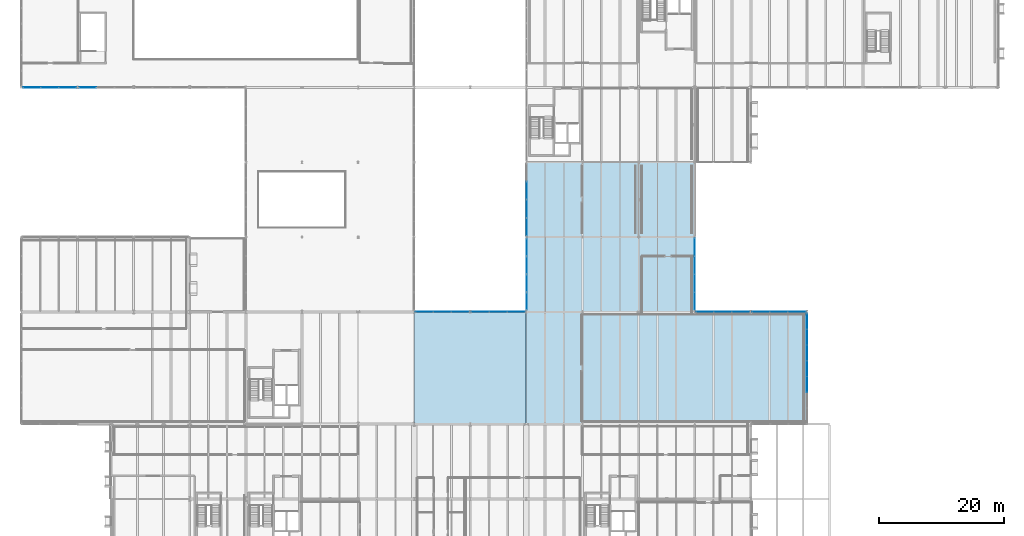
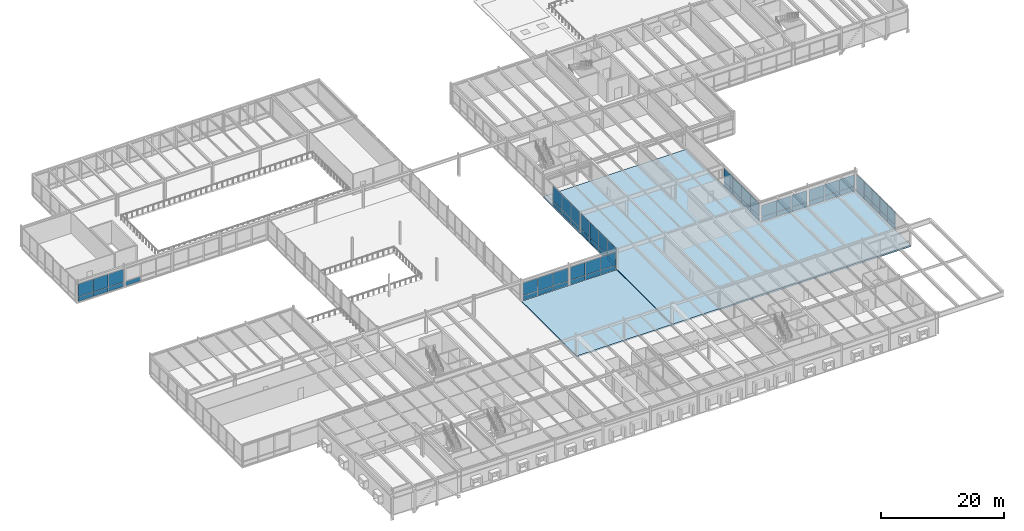
# One storey, part 92 of 115: 63 plates, 2 slabs, 10 elements without a shape of their own.
"""IFC4 building model written with IfcOpenShell, lengths in metres."""

from ifc_helpers import new_model, si_unit, direction, frame, origin, origin_2d, place, context, subcontext, project, spatial, polyline, rectangle, outline, extrude, material, layer, layer_set, type_object, element, aggregate, save


model = new_model("IFC4")

# Units and contexts
model_context = context("Model", 3, precision=1e-05, world=origin(), true_north=direction((0.0, 1.0)))
body_context = subcontext(model_context, "Body", "Model", "MODEL_VIEW")
ifc_project = project(units=[si_unit("LENGTHUNIT", "METRE"), si_unit("AREAUNIT", "SQUARE_METRE"), si_unit("VOLUMEUNIT", "CUBIC_METRE"), si_unit("PLANEANGLEUNIT", "RADIAN"), si_unit("MASSUNIT", "GRAM", prefix="KILO")], contexts=[model_context])

# Site, building, storey
site_placement = place(None, origin())
site = spatial("IfcSite", under=ifc_project, at=site_placement, CompositionType="ELEMENT")
building_placement = place(site_placement, origin())
building = spatial("IfcBuilding", under=site, at=building_placement, Name="Montelvaro Courts of Justice", CompositionType="ELEMENT")
storey_placement = place(building_placement, frame((0.0, 0.0, 9.89990234375)))
storey = spatial("IfcBuildingStorey", under=building, at=storey_placement, Name="L02", CompositionType="ELEMENT", Elevation=9.89990234375)

# Curtain wall, plates
ifc_material_1 = material(Name="Anodised aluminium EN AW-6063", Category="aluminium")
ifc_layer_1 = layer(ifc_material_1, 0.159912109375)
ifc_layer_set_1 = layer_set([ifc_layer_1], Name="Anodised aluminium EN AW-6063")
curtain_wall_type_1 = type_object("IfcCurtainWallType", Name="CurtainWall_17_861x418", PredefinedType="USERDEFINED", material=ifc_layer_set_1)
curtain_wall_1_placement = place(storey_placement, origin())
curtain_wall_1 = element("IfcCurtainWall", 1, at=curtain_wall_1_placement, inside=storey, type_object=curtain_wall_type_1, Name="Curtain Wall CW-17 (L02)", ObjectType="CURTAIN WALL", PredefinedType="USERDEFINED")
ifc_material_2 = material(Name="Low-E solar control double glazing", Category="glass")
ifc_layer_2 = layer(ifc_material_2, 0.028076171875)
ifc_layer_set_2 = layer_set([ifc_layer_2], Name="Low-E solar control double glazing")
plate_type = type_object("IfcPlateType", Name="CurtainWall_Glazed_Panel_28", PredefinedType="CURTAIN_PANEL", material=ifc_layer_set_2)
plate_1_placement = place(storey_placement, frame((19.6875, 78.0, 0.06005859375), z_axis=(0.0, 0.0, 1.0), x_axis=(1.0, 0.0, 0.0)))
plate_1 = element("IfcPlate", 2, at=plate_1_placement, type_object=plate_type, Name="CW-17 panel 1.1", PredefinedType="CURTAIN_PANEL", context=body_context, shape_type="SweptSolid", body=[
    extrude(rectangle(XDim=2.77490234375, YDim=0.028076171875, at=origin_2d()), origin(), (0.0, 0.0, 1.0), 0.860107421875),
])
plate_2_placement = place(storey_placement, frame((19.6875, 78.0, 0.97998046875), z_axis=(0.0, 0.0, 1.0), x_axis=(1.0, 0.0, 0.0)))
plate_2 = element("IfcPlate", 3, at=plate_2_placement, type_object=plate_type, Name="CW-17 panel 1.2", PredefinedType="CURTAIN_PANEL", context=body_context, shape_type="SweptSolid", body=[
    extrude(rectangle(XDim=2.77490234375, YDim=0.028076171875, at=origin_2d()), origin(), (0.0, 0.0, 1.0), 2.554931640625),
])
plate_3_placement = place(storey_placement, frame((22.53759765625, 78.0, 0.06005859375), z_axis=(0.0, 0.0, 1.0), x_axis=(1.0, 0.0, 0.0)))
plate_3 = element("IfcPlate", 4, at=plate_3_placement, type_object=plate_type, Name="CW-17 panel 2.1", PredefinedType="CURTAIN_PANEL", context=body_context, shape_type="SweptSolid", body=[
    extrude(rectangle(XDim=2.804931640625, YDim=0.028076171875, at=origin_2d()), origin(), (0.0, 0.0, 1.0), 0.860107421875),
])
plate_4_placement = place(storey_placement, frame((22.53759765625, 78.0, 0.97998046875), z_axis=(0.0, 0.0, 1.0), x_axis=(1.0, 0.0, 0.0)))
plate_4 = element("IfcPlate", 5, at=plate_4_placement, type_object=plate_type, Name="CW-17 panel 2.2", PredefinedType="CURTAIN_PANEL", context=body_context, shape_type="SweptSolid", body=[
    extrude(rectangle(XDim=2.804931640625, YDim=0.028076171875, at=origin_2d()), origin(), (0.0, 0.0, 1.0), 2.554931640625),
])
plate_5_placement = place(storey_placement, frame((25.387451171875, 78.0, 0.06005859375), z_axis=(0.0, 0.0, 1.0), x_axis=(1.0, 0.0, 0.0)))
plate_5 = element("IfcPlate", 6, at=plate_5_placement, type_object=plate_type, Name="CW-17 panel 3.1", PredefinedType="CURTAIN_PANEL", context=body_context, shape_type="SweptSolid", body=[
    extrude(rectangle(XDim=2.77490234375, YDim=0.028076171875, at=origin_2d()), origin(), (0.0, 0.0, 1.0), 0.860107421875),
])
plate_6_placement = place(storey_placement, frame((25.387451171875, 78.0, 0.97998046875), z_axis=(0.0, 0.0, 1.0), x_axis=(1.0, 0.0, 0.0)))
plate_6 = element("IfcPlate", 7, at=plate_6_placement, type_object=plate_type, Name="CW-17 panel 3.2", PredefinedType="CURTAIN_PANEL", context=body_context, shape_type="SweptSolid", body=[
    extrude(rectangle(XDim=2.77490234375, YDim=0.028076171875, at=origin_2d()), origin(), (0.0, 0.0, 1.0), 2.554931640625),
])
aggregate(curtain_wall_1, [plate_1, plate_2, plate_3, plate_4, plate_5, plate_6])

# Curtain wall, plate
ifc_layer_3 = layer(ifc_material_1, 0.159912109375)
ifc_layer_set_3 = layer_set([ifc_layer_3], Name="Anodised aluminium EN AW-6063")
curtain_wall_type_2 = type_object("IfcCurtainWallType", Name="CurtainWall_14_867x418", PredefinedType="USERDEFINED", material=ifc_layer_set_3)
curtain_wall_2_placement = place(storey_placement, origin())
curtain_wall_2 = element("IfcCurtainWall", 8, at=curtain_wall_2_placement, inside=storey, type_object=curtain_wall_type_2, Name="Curtain Wall CW-14 (L02)", ObjectType="CURTAIN WALL", PredefinedType="USERDEFINED")
plate_7_placement = place(storey_placement, frame((28.626220703125, 78.0, 0.06005859375), z_axis=(0.0, 0.0, 1.0), x_axis=(1.0, 0.0, 0.0)))
plate_7 = element("IfcPlate", 9, at=plate_7_placement, type_object=plate_type, Name="CW-14 panel 1.1", PredefinedType="CURTAIN_PANEL", context=body_context, shape_type="SweptSolid", body=[
    extrude(rectangle(XDim=2.79248046875, YDim=0.028076171875, at=origin_2d()), origin(), (0.0, 0.0, 1.0), 0.860107421875),
])
aggregate(curtain_wall_2, [plate_7])

# Curtain wall, plates
ifc_layer_4 = layer(ifc_material_1, 0.159912109375)
ifc_layer_set_4 = layer_set([ifc_layer_4], Name="Anodised aluminium EN AW-6063")
curtain_wall_type_3 = type_object("IfcCurtainWallType", Name="CurtainWall_29_1770x418", PredefinedType="USERDEFINED", material=ifc_layer_set_4)
curtain_wall_3_placement = place(storey_placement, origin())
curtain_wall_3 = element("IfcCurtainWall", 10, at=curtain_wall_3_placement, inside=storey, type_object=curtain_wall_type_3, Name="Curtain Wall CW-29 (L02)", ObjectType="CURTAIN WALL", PredefinedType="USERDEFINED")
plate_8_placement = place(storey_placement, frame((144.0, 30.359619140625, 0.06005859375), z_axis=(0.0, 0.0, 1.0), x_axis=(0.0, 1.0, 0.0)))
plate_8 = element("IfcPlate", 11, at=plate_8_placement, type_object=plate_type, Name="CW-29 panel 3.1", PredefinedType="CURTAIN_PANEL", context=body_context, shape_type="SweptSolid", body=[
    extrude(rectangle(XDim=2.4677734375, YDim=0.028076171875, at=origin_2d()), origin(), (0.0, 0.0, 1.0), 0.860107421875),
])
plate_9_placement = place(storey_placement, frame((144.0, 30.359619140625, 0.97998046875), z_axis=(0.0, 0.0, 1.0), x_axis=(0.0, 1.0, 0.0)))
plate_9 = element("IfcPlate", 12, at=plate_9_placement, type_object=plate_type, Name="CW-29 panel 3.2", PredefinedType="CURTAIN_PANEL", context=body_context, shape_type="SweptSolid", body=[
    extrude(rectangle(XDim=2.4677734375, YDim=0.028076171875, at=origin_2d()), origin(), (0.0, 0.0, 1.0), 2.52001953125),
])
plate_10_placement = place(storey_placement, frame((144.0, 32.887451171875, 0.06005859375), z_axis=(0.0, 0.0, 1.0), x_axis=(0.0, 1.0, 0.0)))
plate_10 = element("IfcPlate", 13, at=plate_10_placement, type_object=plate_type, Name="CW-29 panel 4.1", PredefinedType="CURTAIN_PANEL", context=body_context, shape_type="SweptSolid", body=[
    extrude(rectangle(XDim=2.4677734375, YDim=0.028076171875, at=origin_2d()), origin(), (0.0, 0.0, 1.0), 0.860107421875),
])
plate_11_placement = place(storey_placement, frame((144.0, 32.887451171875, 0.97998046875), z_axis=(0.0, 0.0, 1.0), x_axis=(0.0, 1.0, 0.0)))
plate_11 = element("IfcPlate", 14, at=plate_11_placement, type_object=plate_type, Name="CW-29 panel 4.2", PredefinedType="CURTAIN_PANEL", context=body_context, shape_type="SweptSolid", body=[
    extrude(rectangle(XDim=2.4677734375, YDim=0.028076171875, at=origin_2d()), origin(), (0.0, 0.0, 1.0), 2.52001953125),
])
plate_12_placement = place(storey_placement, frame((144.0, 35.415283203125, 0.06005859375), z_axis=(0.0, 0.0, 1.0), x_axis=(0.0, 1.0, 0.0)))
plate_12 = element("IfcPlate", 15, at=plate_12_placement, type_object=plate_type, Name="CW-29 panel 5.1", PredefinedType="CURTAIN_PANEL", context=body_context, shape_type="SweptSolid", body=[
    extrude(rectangle(XDim=2.4677734375, YDim=0.028076171875, at=origin_2d()), origin(), (0.0, 0.0, 1.0), 0.860107421875),
])
plate_13_placement = place(storey_placement, frame((144.0, 35.415283203125, 0.97998046875), z_axis=(0.0, 0.0, 1.0), x_axis=(0.0, 1.0, 0.0)))
plate_13 = element("IfcPlate", 16, at=plate_13_placement, type_object=plate_type, Name="CW-29 panel 5.2", PredefinedType="CURTAIN_PANEL", context=body_context, shape_type="SweptSolid", body=[
    extrude(rectangle(XDim=2.4677734375, YDim=0.028076171875, at=origin_2d()), origin(), (0.0, 0.0, 1.0), 2.52001953125),
])
plate_14_placement = place(storey_placement, frame((144.0, 37.943115234375, 0.06005859375), z_axis=(0.0, 0.0, 1.0), x_axis=(0.0, 1.0, 0.0)))
plate_14 = element("IfcPlate", 17, at=plate_14_placement, type_object=plate_type, Name="CW-29 panel 6.1", PredefinedType="CURTAIN_PANEL", context=body_context, shape_type="SweptSolid", body=[
    extrude(rectangle(XDim=2.4677734375, YDim=0.028076171875, at=origin_2d()), origin(), (0.0, 0.0, 1.0), 0.860107421875),
])
plate_15_placement = place(storey_placement, frame((144.0, 37.943115234375, 0.97998046875), z_axis=(0.0, 0.0, 1.0), x_axis=(0.0, 1.0, 0.0)))
plate_15 = element("IfcPlate", 18, at=plate_15_placement, type_object=plate_type, Name="CW-29 panel 6.2", PredefinedType="CURTAIN_PANEL", context=body_context, shape_type="SweptSolid", body=[
    extrude(rectangle(XDim=2.4677734375, YDim=0.028076171875, at=origin_2d()), origin(), (0.0, 0.0, 1.0), 2.52001953125),
])
plate_16_placement = place(storey_placement, frame((144.0, 40.4560546875, 0.06005859375), z_axis=(0.0, 0.0, 1.0), x_axis=(0.0, 1.0, 0.0)))
plate_16 = element("IfcPlate", 19, at=plate_16_placement, type_object=plate_type, Name="CW-29 panel 7.1", PredefinedType="CURTAIN_PANEL", context=body_context, shape_type="SweptSolid", body=[
    extrude(rectangle(XDim=2.437744140625, YDim=0.028076171875, at=origin_2d()), origin(), (0.0, 0.0, 1.0), 0.860107421875),
])
plate_17_placement = place(storey_placement, frame((144.0, 40.4560546875, 0.97998046875), z_axis=(0.0, 0.0, 1.0), x_axis=(0.0, 1.0, 0.0)))
plate_17 = element("IfcPlate", 20, at=plate_17_placement, type_object=plate_type, Name="CW-29 panel 7.2", PredefinedType="CURTAIN_PANEL", context=body_context, shape_type="SweptSolid", body=[
    extrude(rectangle(XDim=2.437744140625, YDim=0.028076171875, at=origin_2d()), origin(), (0.0, 0.0, 1.0), 2.52001953125),
])
aggregate(curtain_wall_3, [plate_8, plate_9, plate_10, plate_11, plate_12, plate_13, plate_14, plate_15, plate_16, plate_17])

curtain_wall_4_placement = place(storey_placement, origin())
curtain_wall_4 = element("IfcCurtainWall", 21, at=curtain_wall_4_placement, inside=storey, type_object=curtain_wall_type_2, Name="Curtain Wall CW-14 (L02)", ObjectType="CURTAIN WALL", PredefinedType="USERDEFINED")
plate_18_placement = place(storey_placement, frame((142.375, 42.0, 0.06005859375), z_axis=(0.0, 0.0, 1.0), x_axis=(-1.0, 0.0, 0.0)))
plate_18 = element("IfcPlate", 22, at=plate_18_placement, type_object=plate_type, Name="CW-14 panel 1.1", PredefinedType="CURTAIN_PANEL", context=body_context, shape_type="SweptSolid", body=[
    extrude(rectangle(XDim=2.800048828125, YDim=0.028076171875, at=origin_2d()), origin(), (0.0, 0.0, 1.0), 0.860107421875),
])
plate_19_placement = place(storey_placement, frame((142.375, 42.0, 0.980224609375), z_axis=(0.0, 0.0, 1.0), x_axis=(-1.0, 0.0, 0.0)))
plate_19 = element("IfcPlate", 23, at=plate_19_placement, type_object=plate_type, Name="CW-14 panel 1.2", PredefinedType="CURTAIN_PANEL", context=body_context, shape_type="SweptSolid", body=[
    extrude(rectangle(XDim=2.800048828125, YDim=0.028076171875, at=origin_2d()), origin(), (0.0, 0.0, 1.0), 2.2548828125),
])
plate_20_placement = place(storey_placement, frame((139.5, 42.0, 0.06005859375), z_axis=(0.0, 0.0, 1.0), x_axis=(-1.0, 0.0, 0.0)))
plate_20 = element("IfcPlate", 24, at=plate_20_placement, type_object=plate_type, Name="CW-14 panel 2.1", PredefinedType="CURTAIN_PANEL", context=body_context, shape_type="SweptSolid", body=[
    extrude(rectangle(XDim=2.830078125, YDim=0.028076171875, at=origin_2d()), origin(), (0.0, 0.0, 1.0), 0.860107421875),
])
plate_21_placement = place(storey_placement, frame((139.5, 42.0, 0.980224609375), z_axis=(0.0, 0.0, 1.0), x_axis=(-1.0, 0.0, 0.0)))
plate_21 = element("IfcPlate", 25, at=plate_21_placement, type_object=plate_type, Name="CW-14 panel 2.2", PredefinedType="CURTAIN_PANEL", context=body_context, shape_type="SweptSolid", body=[
    extrude(rectangle(XDim=2.830078125, YDim=0.028076171875, at=origin_2d()), origin(), (0.0, 0.0, 1.0), 2.2548828125),
])
plate_22_placement = place(storey_placement, frame((136.625, 42.0, 0.06005859375), z_axis=(0.0, 0.0, 1.0), x_axis=(-1.0, 0.0, 0.0)))
plate_22 = element("IfcPlate", 26, at=plate_22_placement, type_object=plate_type, Name="CW-14 panel 3.1", PredefinedType="CURTAIN_PANEL", context=body_context, shape_type="SweptSolid", body=[
    extrude(rectangle(XDim=2.800048828125, YDim=0.028076171875, at=origin_2d()), origin(), (0.0, 0.0, 1.0), 0.860107421875),
])
plate_23_placement = place(storey_placement, frame((136.625, 42.0, 0.980224609375), z_axis=(0.0, 0.0, 1.0), x_axis=(-1.0, 0.0, 0.0)))
plate_23 = element("IfcPlate", 27, at=plate_23_placement, type_object=plate_type, Name="CW-14 panel 3.2", PredefinedType="CURTAIN_PANEL", context=body_context, shape_type="SweptSolid", body=[
    extrude(rectangle(XDim=2.800048828125, YDim=0.028076171875, at=origin_2d()), origin(), (0.0, 0.0, 1.0), 2.2548828125),
])
aggregate(curtain_wall_4, [plate_18, plate_19, plate_20, plate_21, plate_22, plate_23])

curtain_wall_5_placement = place(storey_placement, origin())
curtain_wall_5 = element("IfcCurtainWall", 28, at=curtain_wall_5_placement, inside=storey, type_object=curtain_wall_type_2, Name="Curtain Wall CW-14 (L02)", ObjectType="CURTAIN WALL", PredefinedType="USERDEFINED")
plate_24_placement = place(storey_placement, frame((133.375, 42.0, 0.06005859375), z_axis=(0.0, 0.0, 1.0), x_axis=(-1.0, 0.0, 0.0)))
plate_24 = element("IfcPlate", 29, at=plate_24_placement, type_object=plate_type, Name="CW-14 panel 1.1", PredefinedType="CURTAIN_PANEL", context=body_context, shape_type="SweptSolid", body=[
    extrude(rectangle(XDim=2.800048828125, YDim=0.028076171875, at=origin_2d()), origin(), (0.0, 0.0, 1.0), 0.860107421875),
])
plate_25_placement = place(storey_placement, frame((133.375, 42.0, 0.980224609375), z_axis=(0.0, 0.0, 1.0), x_axis=(-1.0, 0.0, 0.0)))
plate_25 = element("IfcPlate", 30, at=plate_25_placement, type_object=plate_type, Name="CW-14 panel 1.2", PredefinedType="CURTAIN_PANEL", context=body_context, shape_type="SweptSolid", body=[
    extrude(rectangle(XDim=2.800048828125, YDim=0.028076171875, at=origin_2d()), origin(), (0.0, 0.0, 1.0), 2.2548828125),
])
plate_26_placement = place(storey_placement, frame((130.5, 42.0, 0.06005859375), z_axis=(0.0, 0.0, 1.0), x_axis=(-1.0, 0.0, 0.0)))
plate_26 = element("IfcPlate", 31, at=plate_26_placement, type_object=plate_type, Name="CW-14 panel 2.1", PredefinedType="CURTAIN_PANEL", context=body_context, shape_type="SweptSolid", body=[
    extrude(rectangle(XDim=2.830078125, YDim=0.028076171875, at=origin_2d()), origin(), (0.0, 0.0, 1.0), 0.860107421875),
])
plate_27_placement = place(storey_placement, frame((130.5, 42.0, 0.980224609375), z_axis=(0.0, 0.0, 1.0), x_axis=(-1.0, 0.0, 0.0)))
plate_27 = element("IfcPlate", 32, at=plate_27_placement, type_object=plate_type, Name="CW-14 panel 2.2", PredefinedType="CURTAIN_PANEL", context=body_context, shape_type="SweptSolid", body=[
    extrude(rectangle(XDim=2.830078125, YDim=0.028076171875, at=origin_2d()), origin(), (0.0, 0.0, 1.0), 2.2548828125),
])
plate_28_placement = place(storey_placement, frame((127.625, 42.0, 0.06005859375), z_axis=(0.0, 0.0, 1.0), x_axis=(-1.0, 0.0, 0.0)))
plate_28 = element("IfcPlate", 33, at=plate_28_placement, type_object=plate_type, Name="CW-14 panel 3.1", PredefinedType="CURTAIN_PANEL", context=body_context, shape_type="SweptSolid", body=[
    extrude(rectangle(XDim=2.800048828125, YDim=0.028076171875, at=origin_2d()), origin(), (0.0, 0.0, 1.0), 0.860107421875),
])
plate_29_placement = place(storey_placement, frame((127.625, 42.0, 0.980224609375), z_axis=(0.0, 0.0, 1.0), x_axis=(-1.0, 0.0, 0.0)))
plate_29 = element("IfcPlate", 34, at=plate_29_placement, type_object=plate_type, Name="CW-14 panel 3.2", PredefinedType="CURTAIN_PANEL", context=body_context, shape_type="SweptSolid", body=[
    extrude(rectangle(XDim=2.800048828125, YDim=0.028076171875, at=origin_2d()), origin(), (0.0, 0.0, 1.0), 2.2548828125),
])
aggregate(curtain_wall_5, [plate_24, plate_25, plate_26, plate_27, plate_28, plate_29])

ifc_layer_5 = layer(ifc_material_1, 0.159912109375)
ifc_layer_set_5 = layer_set([ifc_layer_5], Name="Anodised aluminium EN AW-6063")
curtain_wall_type_4 = type_object("IfcCurtainWallType", Name="CurtainWall_19_1159x418", PredefinedType="USERDEFINED", material=ifc_layer_set_5)
curtain_wall_6_placement = place(storey_placement, origin())
curtain_wall_6 = element("IfcCurtainWall", 35, at=curtain_wall_6_placement, inside=storey, type_object=curtain_wall_type_4, Name="Curtain Wall CW-19 (L02)", ObjectType="CURTAIN WALL", PredefinedType="USERDEFINED")
plate_30_placement = place(storey_placement, frame((126.0, 43.706787109375, 0.0751953125), z_axis=(0.0, 0.0, 1.0), x_axis=(0.0, 1.0, 0.0)))
plate_30 = element("IfcPlate", 36, at=plate_30_placement, type_object=plate_type, Name="CW-19 panel 1.1", PredefinedType="CURTAIN_PANEL", context=body_context, shape_type="SweptSolid", body=[
    extrude(rectangle(XDim=2.8037109375, YDim=0.028076171875, at=origin_2d()), origin(), (0.0, 0.0, 1.0), 0.83740234375),
])
plate_31_placement = place(storey_placement, frame((126.0, 43.706787109375, 0.98779296875), z_axis=(0.0, 0.0, 1.0), x_axis=(0.0, 1.0, 0.0)))
plate_31 = element("IfcPlate", 37, at=plate_31_placement, type_object=plate_type, Name="CW-19 panel 1.2", PredefinedType="CURTAIN_PANEL", context=body_context, shape_type="SweptSolid", body=[
    extrude(rectangle(XDim=2.8037109375, YDim=0.028076171875, at=origin_2d()), origin(), (0.0, 0.0, 1.0), 2.632568359375),
])
plate_32_placement = place(storey_placement, frame((126.0, 46.591796875, 0.0751953125), z_axis=(0.0, 0.0, 1.0), x_axis=(0.0, 1.0, 0.0)))
plate_32 = element("IfcPlate", 38, at=plate_32_placement, type_object=plate_type, Name="CW-19 panel 2.1", PredefinedType="CURTAIN_PANEL", context=body_context, shape_type="SweptSolid", body=[
    extrude(rectangle(XDim=2.836181640625, YDim=0.028076171875, at=origin_2d()), origin(), (0.0, 0.0, 1.0), 0.83740234375),
])
plate_33_placement = place(storey_placement, frame((126.0, 46.591796875, 0.98779296875), z_axis=(0.0, 0.0, 1.0), x_axis=(0.0, 1.0, 0.0)))
plate_33 = element("IfcPlate", 39, at=plate_33_placement, type_object=plate_type, Name="CW-19 panel 2.2", PredefinedType="CURTAIN_PANEL", context=body_context, shape_type="SweptSolid", body=[
    extrude(rectangle(XDim=2.836181640625, YDim=0.028076171875, at=origin_2d()), origin(), (0.0, 0.0, 1.0), 2.632568359375),
])
plate_34_placement = place(storey_placement, frame((126.0, 49.4931640625, 0.0751953125), z_axis=(0.0, 0.0, 1.0), x_axis=(0.0, 1.0, 0.0)))
plate_34 = element("IfcPlate", 40, at=plate_34_placement, type_object=plate_type, Name="CW-19 panel 3.1", PredefinedType="CURTAIN_PANEL", context=body_context, shape_type="SweptSolid", body=[
    extrude(rectangle(XDim=2.836181640625, YDim=0.028076171875, at=origin_2d()), origin(), (0.0, 0.0, 1.0), 0.83740234375),
])
plate_35_placement = place(storey_placement, frame((126.0, 49.4931640625, 0.98779296875), z_axis=(0.0, 0.0, 1.0), x_axis=(0.0, 1.0, 0.0)))
plate_35 = element("IfcPlate", 41, at=plate_35_placement, type_object=plate_type, Name="CW-19 panel 3.2", PredefinedType="CURTAIN_PANEL", context=body_context, shape_type="SweptSolid", body=[
    extrude(rectangle(XDim=2.836181640625, YDim=0.028076171875, at=origin_2d()), origin(), (0.0, 0.0, 1.0), 2.632568359375),
])
plate_36_placement = place(storey_placement, frame((126.0, 52.378173828125, 0.0751953125), z_axis=(0.0, 0.0, 1.0), x_axis=(0.0, 1.0, 0.0)))
plate_36 = element("IfcPlate", 42, at=plate_36_placement, type_object=plate_type, Name="CW-19 panel 4.1", PredefinedType="CURTAIN_PANEL", context=body_context, shape_type="SweptSolid", body=[
    extrude(rectangle(XDim=2.8037109375, YDim=0.028076171875, at=origin_2d()), origin(), (0.0, 0.0, 1.0), 0.83740234375),
])
plate_37_placement = place(storey_placement, frame((126.0, 52.378173828125, 0.98779296875), z_axis=(0.0, 0.0, 1.0), x_axis=(0.0, 1.0, 0.0)))
plate_37 = element("IfcPlate", 43, at=plate_37_placement, type_object=plate_type, Name="CW-19 panel 4.2", PredefinedType="CURTAIN_PANEL", context=body_context, shape_type="SweptSolid", body=[
    extrude(rectangle(XDim=2.8037109375, YDim=0.028076171875, at=origin_2d()), origin(), (0.0, 0.0, 1.0), 2.632568359375),
])
aggregate(curtain_wall_6, [plate_30, plate_31, plate_32, plate_33, plate_34, plate_35, plate_36, plate_37])

ifc_layer_6 = layer(ifc_material_1, 0.159912109375)
ifc_layer_set_6 = layer_set([ifc_layer_6], Name="Anodised aluminium EN AW-6063")
curtain_wall_type_5 = type_object("IfcCurtainWallType", Name="CurtainWall_24_1169x418", PredefinedType="USERDEFINED", material=ifc_layer_set_6)
curtain_wall_7_placement = place(storey_placement, origin())
curtain_wall_7 = element("IfcCurtainWall", 44, at=curtain_wall_7_placement, inside=storey, type_object=curtain_wall_type_5, Name="Curtain Wall CW-24 (L02)", ObjectType="CURTAIN WALL", PredefinedType="USERDEFINED")
plate_38_placement = place(storey_placement, frame((99.050048828125, 61.461181640625, 0.0751953125), z_axis=(0.0, 0.0, 1.0), x_axis=(0.0, -1.0, 0.0)))
plate_38 = element("IfcPlate", 45, at=plate_38_placement, type_object=plate_type, Name="CW-24 panel 2.1", PredefinedType="CURTAIN_PANEL", context=body_context, shape_type="SweptSolid", body=[
    extrude(rectangle(XDim=2.847412109375, YDim=0.028076171875, at=origin_2d()), origin(), (0.0, 0.0, 1.0), 0.83740234375),
])
plate_39_placement = place(storey_placement, frame((99.050048828125, 61.461181640625, 0.987548828125), z_axis=(0.0, 0.0, 1.0), x_axis=(0.0, -1.0, 0.0)))
plate_39 = element("IfcPlate", 46, at=plate_39_placement, type_object=plate_type, Name="CW-24 panel 2.2", PredefinedType="CURTAIN_PANEL", context=body_context, shape_type="SweptSolid", body=[
    extrude(rectangle(XDim=2.847412109375, YDim=0.028076171875, at=origin_2d()), origin(), (0.0, 0.0, 1.0), 3.0576171875),
])
plate_40_placement = place(storey_placement, frame((99.050048828125, 58.538818359375, 0.0751953125), z_axis=(0.0, 0.0, 1.0), x_axis=(0.0, -1.0, 0.0)))
plate_40 = element("IfcPlate", 47, at=plate_40_placement, type_object=plate_type, Name="CW-24 panel 3.1", PredefinedType="CURTAIN_PANEL", context=body_context, shape_type="SweptSolid", body=[
    extrude(rectangle(XDim=2.847412109375, YDim=0.028076171875, at=origin_2d()), origin(), (0.0, 0.0, 1.0), 0.83740234375),
])
plate_41_placement = place(storey_placement, frame((99.050048828125, 58.538818359375, 0.987548828125), z_axis=(0.0, 0.0, 1.0), x_axis=(0.0, -1.0, 0.0)))
plate_41 = element("IfcPlate", 48, at=plate_41_placement, type_object=plate_type, Name="CW-24 panel 3.2", PredefinedType="CURTAIN_PANEL", context=body_context, shape_type="SweptSolid", body=[
    extrude(rectangle(XDim=2.847412109375, YDim=0.028076171875, at=origin_2d()), origin(), (0.0, 0.0, 1.0), 3.0576171875),
])
plate_42_placement = place(storey_placement, frame((99.050048828125, 55.635009765625, 0.0751953125), z_axis=(0.0, 0.0, 1.0), x_axis=(0.0, -1.0, 0.0)))
plate_42 = element("IfcPlate", 49, at=plate_42_placement, type_object=plate_type, Name="CW-24 panel 4.1", PredefinedType="CURTAIN_PANEL", context=body_context, shape_type="SweptSolid", body=[
    extrude(rectangle(XDim=2.81005859375, YDim=0.028076171875, at=origin_2d()), origin(), (0.0, 0.0, 1.0), 0.83740234375),
])
plate_43_placement = place(storey_placement, frame((99.050048828125, 55.635009765625, 0.987548828125), z_axis=(0.0, 0.0, 1.0), x_axis=(0.0, -1.0, 0.0)))
plate_43 = element("IfcPlate", 50, at=plate_43_placement, type_object=plate_type, Name="CW-24 panel 4.2", PredefinedType="CURTAIN_PANEL", context=body_context, shape_type="SweptSolid", body=[
    extrude(rectangle(XDim=2.81005859375, YDim=0.028076171875, at=origin_2d()), origin(), (0.0, 0.0, 1.0), 3.0576171875),
])
aggregate(curtain_wall_7, [plate_38, plate_39, plate_40, plate_41, plate_42, plate_43])

curtain_wall_8_placement = place(storey_placement, origin())
curtain_wall_8 = element("IfcCurtainWall", 51, at=curtain_wall_8_placement, inside=storey, type_object=curtain_wall_type_4, Name="Curtain Wall CW-19 (L02)", ObjectType="CURTAIN WALL", PredefinedType="USERDEFINED")
plate_44_placement = place(storey_placement, frame((99.050048828125, 52.378662109375, 0.06005859375), z_axis=(0.0, 0.0, 1.0), x_axis=(0.0, -1.0, 0.0)))
plate_44 = element("IfcPlate", 52, at=plate_44_placement, type_object=plate_type, Name="CW-19 panel 1.1", PredefinedType="CURTAIN_PANEL", context=body_context, shape_type="SweptSolid", body=[
    extrude(rectangle(XDim=2.782470703125, YDim=0.028076171875, at=origin_2d()), origin(), (0.0, 0.0, 1.0), 0.860107421875),
])
plate_45_placement = place(storey_placement, frame((99.050048828125, 52.378662109375, 0.97998046875), z_axis=(0.0, 0.0, 1.0), x_axis=(0.0, -1.0, 0.0)))
plate_45 = element("IfcPlate", 53, at=plate_45_placement, type_object=plate_type, Name="CW-19 panel 1.2", PredefinedType="CURTAIN_PANEL", context=body_context, shape_type="SweptSolid", body=[
    extrude(rectangle(XDim=2.782470703125, YDim=0.028076171875, at=origin_2d()), origin(), (0.0, 0.0, 1.0), 3.080078125),
])
plate_46_placement = place(storey_placement, frame((99.050048828125, 49.50244140625, 0.06005859375), z_axis=(0.0, 0.0, 1.0), x_axis=(0.0, -1.0, 0.0)))
plate_46 = element("IfcPlate", 54, at=plate_46_placement, type_object=plate_type, Name="CW-19 panel 2.1", PredefinedType="CURTAIN_PANEL", context=body_context, shape_type="SweptSolid", body=[
    extrude(rectangle(XDim=2.820068359375, YDim=0.028076171875, at=origin_2d()), origin(), (0.0, 0.0, 1.0), 0.860107421875),
])
plate_47_placement = place(storey_placement, frame((99.050048828125, 49.50244140625, 0.97998046875), z_axis=(0.0, 0.0, 1.0), x_axis=(0.0, -1.0, 0.0)))
plate_47 = element("IfcPlate", 55, at=plate_47_placement, type_object=plate_type, Name="CW-19 panel 2.2", PredefinedType="CURTAIN_PANEL", context=body_context, shape_type="SweptSolid", body=[
    extrude(rectangle(XDim=2.820068359375, YDim=0.028076171875, at=origin_2d()), origin(), (0.0, 0.0, 1.0), 3.080078125),
])
plate_48_placement = place(storey_placement, frame((99.050048828125, 46.607421875, 0.06005859375), z_axis=(0.0, 0.0, 1.0), x_axis=(0.0, -1.0, 0.0)))
plate_48 = element("IfcPlate", 56, at=plate_48_placement, type_object=plate_type, Name="CW-19 panel 3.1", PredefinedType="CURTAIN_PANEL", context=body_context, shape_type="SweptSolid", body=[
    extrude(rectangle(XDim=2.820068359375, YDim=0.028076171875, at=origin_2d()), origin(), (0.0, 0.0, 1.0), 0.860107421875),
])
plate_49_placement = place(storey_placement, frame((99.050048828125, 46.607421875, 0.97998046875), z_axis=(0.0, 0.0, 1.0), x_axis=(0.0, -1.0, 0.0)))
plate_49 = element("IfcPlate", 57, at=plate_49_placement, type_object=plate_type, Name="CW-19 panel 3.2", PredefinedType="CURTAIN_PANEL", context=body_context, shape_type="SweptSolid", body=[
    extrude(rectangle(XDim=2.820068359375, YDim=0.028076171875, at=origin_2d()), origin(), (0.0, 0.0, 1.0), 3.080078125),
])
plate_50_placement = place(storey_placement, frame((99.050048828125, 43.731201171875, 0.06005859375), z_axis=(0.0, 0.0, 1.0), x_axis=(0.0, -1.0, 0.0)))
plate_50 = element("IfcPlate", 58, at=plate_50_placement, type_object=plate_type, Name="CW-19 panel 4.1", PredefinedType="CURTAIN_PANEL", context=body_context, shape_type="SweptSolid", body=[
    extrude(rectangle(XDim=2.782470703125, YDim=0.028076171875, at=origin_2d()), origin(), (0.0, 0.0, 1.0), 0.860107421875),
])
plate_51_placement = place(storey_placement, frame((99.050048828125, 43.731201171875, 0.97998046875), z_axis=(0.0, 0.0, 1.0), x_axis=(0.0, -1.0, 0.0)))
plate_51 = element("IfcPlate", 59, at=plate_51_placement, type_object=plate_type, Name="CW-19 panel 4.2", PredefinedType="CURTAIN_PANEL", context=body_context, shape_type="SweptSolid", body=[
    extrude(rectangle(XDim=2.782470703125, YDim=0.028076171875, at=origin_2d()), origin(), (0.0, 0.0, 1.0), 3.080078125),
])
aggregate(curtain_wall_8, [plate_44, plate_45, plate_46, plate_47, plate_48, plate_49, plate_50, plate_51])

curtain_wall_9_placement = place(storey_placement, origin())
curtain_wall_9 = element("IfcCurtainWall", 60, at=curtain_wall_9_placement, inside=storey, type_object=curtain_wall_type_1, Name="Curtain Wall CW-17 (L02)", ObjectType="CURTAIN WALL", PredefinedType="USERDEFINED")
plate_52_placement = place(storey_placement, frame((97.333251953125, 42.0, 0.06005859375), z_axis=(0.0, 0.0, 1.0), x_axis=(-1.0, 0.0, 0.0)))
plate_52 = element("IfcPlate", 61, at=plate_52_placement, type_object=plate_type, Name="CW-17 panel 1.1", PredefinedType="CURTAIN_PANEL", context=body_context, shape_type="SweptSolid", body=[
    extrude(rectangle(XDim=2.783447265625, YDim=0.028076171875, at=origin_2d()), origin(), (0.0, 0.0, 1.0), 0.860107421875),
])
plate_53_placement = place(storey_placement, frame((97.333251953125, 42.0, 0.97998046875), z_axis=(0.0, 0.0, 1.0), x_axis=(-1.0, 0.0, 0.0)))
plate_53 = element("IfcPlate", 62, at=plate_53_placement, type_object=plate_type, Name="CW-17 panel 1.2", PredefinedType="CURTAIN_PANEL", context=body_context, shape_type="SweptSolid", body=[
    extrude(rectangle(XDim=2.783447265625, YDim=0.028076171875, at=origin_2d()), origin(), (0.0, 0.0, 1.0), 2.554931640625),
])
plate_54_placement = place(storey_placement, frame((94.47509765625, 42.0, 0.06005859375), z_axis=(0.0, 0.0, 1.0), x_axis=(-1.0, 0.0, 0.0)))
plate_54 = element("IfcPlate", 63, at=plate_54_placement, type_object=plate_type, Name="CW-17 panel 2.1", PredefinedType="CURTAIN_PANEL", context=body_context, shape_type="SweptSolid", body=[
    extrude(rectangle(XDim=2.813232421875, YDim=0.028076171875, at=origin_2d()), origin(), (0.0, 0.0, 1.0), 0.860107421875),
])
plate_55_placement = place(storey_placement, frame((94.47509765625, 42.0, 0.97998046875), z_axis=(0.0, 0.0, 1.0), x_axis=(-1.0, 0.0, 0.0)))
plate_55 = element("IfcPlate", 64, at=plate_55_placement, type_object=plate_type, Name="CW-17 panel 2.2", PredefinedType="CURTAIN_PANEL", context=body_context, shape_type="SweptSolid", body=[
    extrude(rectangle(XDim=2.813232421875, YDim=0.028076171875, at=origin_2d()), origin(), (0.0, 0.0, 1.0), 2.554931640625),
])
plate_56_placement = place(storey_placement, frame((91.61669921875, 42.0, 0.06005859375), z_axis=(0.0, 0.0, 1.0), x_axis=(-1.0, 0.0, 0.0)))
plate_56 = element("IfcPlate", 65, at=plate_56_placement, type_object=plate_type, Name="CW-17 panel 3.1", PredefinedType="CURTAIN_PANEL", context=body_context, shape_type="SweptSolid", body=[
    extrude(rectangle(XDim=2.783447265625, YDim=0.028076171875, at=origin_2d()), origin(), (0.0, 0.0, 1.0), 0.860107421875),
])
plate_57_placement = place(storey_placement, frame((91.61669921875, 42.0, 0.97998046875), z_axis=(0.0, 0.0, 1.0), x_axis=(-1.0, 0.0, 0.0)))
plate_57 = element("IfcPlate", 66, at=plate_57_placement, type_object=plate_type, Name="CW-17 panel 3.2", PredefinedType="CURTAIN_PANEL", context=body_context, shape_type="SweptSolid", body=[
    extrude(rectangle(XDim=2.783447265625, YDim=0.028076171875, at=origin_2d()), origin(), (0.0, 0.0, 1.0), 2.554931640625),
])
aggregate(curtain_wall_9, [plate_52, plate_53, plate_54, plate_55, plate_56, plate_57])

curtain_wall_10_placement = place(storey_placement, origin())
curtain_wall_10 = element("IfcCurtainWall", 67, at=curtain_wall_10_placement, inside=storey, type_object=curtain_wall_type_1, Name="Curtain Wall CW-17 (L02)", ObjectType="CURTAIN WALL", PredefinedType="USERDEFINED")
plate_58_placement = place(storey_placement, frame((88.38330078125, 42.0, 0.06005859375), z_axis=(0.0, 0.0, 1.0), x_axis=(-1.0, 0.0, 0.0)))
plate_58 = element("IfcPlate", 68, at=plate_58_placement, type_object=plate_type, Name="CW-17 panel 1.1", PredefinedType="CURTAIN_PANEL", context=body_context, shape_type="SweptSolid", body=[
    extrude(rectangle(XDim=2.783447265625, YDim=0.028076171875, at=origin_2d()), origin(), (0.0, 0.0, 1.0), 0.860107421875),
])
plate_59_placement = place(storey_placement, frame((88.38330078125, 42.0, 0.97998046875), z_axis=(0.0, 0.0, 1.0), x_axis=(-1.0, 0.0, 0.0)))
plate_59 = element("IfcPlate", 69, at=plate_59_placement, type_object=plate_type, Name="CW-17 panel 1.2", PredefinedType="CURTAIN_PANEL", context=body_context, shape_type="SweptSolid", body=[
    extrude(rectangle(XDim=2.783447265625, YDim=0.028076171875, at=origin_2d()), origin(), (0.0, 0.0, 1.0), 2.554931640625),
])
plate_60_placement = place(storey_placement, frame((85.52490234375, 42.0, 0.06005859375), z_axis=(0.0, 0.0, 1.0), x_axis=(-1.0, 0.0, 0.0)))
plate_60 = element("IfcPlate", 70, at=plate_60_placement, type_object=plate_type, Name="CW-17 panel 2.1", PredefinedType="CURTAIN_PANEL", context=body_context, shape_type="SweptSolid", body=[
    extrude(rectangle(XDim=2.813232421875, YDim=0.028076171875, at=origin_2d()), origin(), (0.0, 0.0, 1.0), 0.860107421875),
])
plate_61_placement = place(storey_placement, frame((85.52490234375, 42.0, 0.97998046875), z_axis=(0.0, 0.0, 1.0), x_axis=(-1.0, 0.0, 0.0)))
plate_61 = element("IfcPlate", 71, at=plate_61_placement, type_object=plate_type, Name="CW-17 panel 2.2", PredefinedType="CURTAIN_PANEL", context=body_context, shape_type="SweptSolid", body=[
    extrude(rectangle(XDim=2.813232421875, YDim=0.028076171875, at=origin_2d()), origin(), (0.0, 0.0, 1.0), 2.554931640625),
])
plate_62_placement = place(storey_placement, frame((82.666748046875, 42.0, 0.06005859375), z_axis=(0.0, 0.0, 1.0), x_axis=(-1.0, 0.0, 0.0)))
plate_62 = element("IfcPlate", 72, at=plate_62_placement, type_object=plate_type, Name="CW-17 panel 3.1", PredefinedType="CURTAIN_PANEL", context=body_context, shape_type="SweptSolid", body=[
    extrude(rectangle(XDim=2.783447265625, YDim=0.028076171875, at=origin_2d()), origin(), (0.0, 0.0, 1.0), 0.860107421875),
])
plate_63_placement = place(storey_placement, frame((82.666748046875, 42.0, 0.97998046875), z_axis=(0.0, 0.0, 1.0), x_axis=(-1.0, 0.0, 0.0)))
plate_63 = element("IfcPlate", 73, at=plate_63_placement, type_object=plate_type, Name="CW-17 panel 3.2", PredefinedType="CURTAIN_PANEL", context=body_context, shape_type="SweptSolid", body=[
    extrude(rectangle(XDim=2.783447265625, YDim=0.028076171875, at=origin_2d()), origin(), (0.0, 0.0, 1.0), 2.554931640625),
])
aggregate(curtain_wall_10, [plate_58, plate_59, plate_60, plate_61, plate_62, plate_63])

# Slabs
ifc_material_3 = material(Name="Concrete C35/45", Category="concrete")
ifc_layer_7 = layer(ifc_material_3, 0.260009765625)
ifc_layer_set_7 = layer_set([ifc_layer_7], Name="Concrete C35/45")
slab_type_1 = type_object("IfcSlabType", Name="FloorSlab_260", PredefinedType="FLOOR", material=ifc_layer_set_7)
slab_1_placement = place(storey_placement, frame((0.0, 0.0, -0.260009765625)))
element("IfcSlab", 74, at=slab_1_placement, inside=storey, type_object=slab_type_1, Name="Structural Slab SF-07 L02", PredefinedType="FLOOR", context=body_context, shape_type="SweptSolid", body=[
    extrude(outline(polyline([(81.050048828125, 24.0), (98.949951171875, 24.0), (98.949951171875, 42.0), (81.050048828125, 42.0), (81.050048828125, 24.0)])), origin(), (0.0, 0.0, 1.0), 0.260009765625),
])
ifc_layer_8 = layer(ifc_material_3, 0.280029296875)
ifc_layer_set_8 = layer_set([ifc_layer_8], Name="Concrete C35/45")
slab_type_2 = type_object("IfcSlabType", Name="FloorSlab_280", PredefinedType="FLOOR", material=ifc_layer_set_8)
slab_2_placement = place(storey_placement, frame((0.0, 0.0, -0.27978515625)))
element("IfcSlab", 75, at=slab_2_placement, inside=storey, type_object=slab_type_2, Name="Structural Slab SF-04 L02", PredefinedType="FLOOR", context=body_context, shape_type="SweptSolid", body=[
    extrude(outline(polyline([(99.050048828125, 24.0), (144.0, 24.0), (144.0, 42.0), (126.0, 42.0), (126.0, 66.0), (99.050048828125, 66.0), (99.050048828125, 24.0)])), origin(), (0.0, 0.0, 1.0), 0.27978515625),
])

save(model, "model.ifc")
